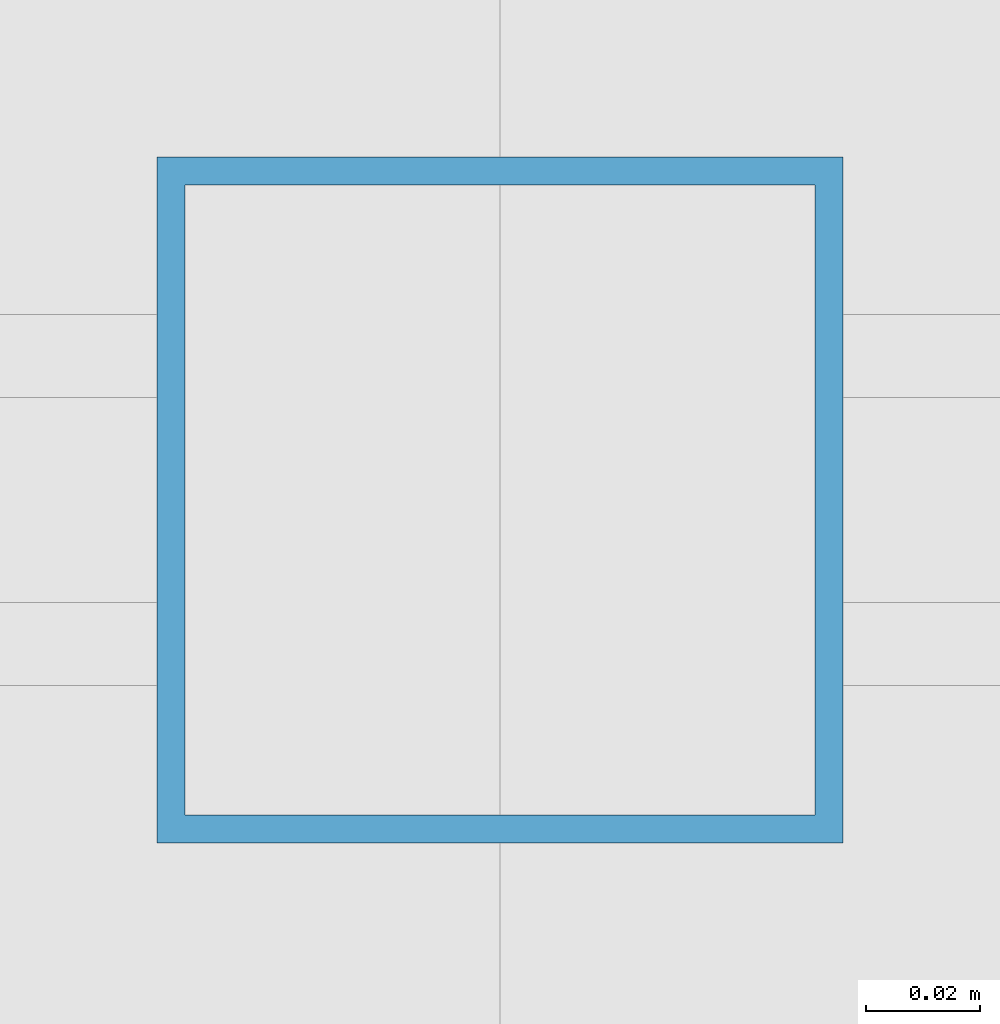
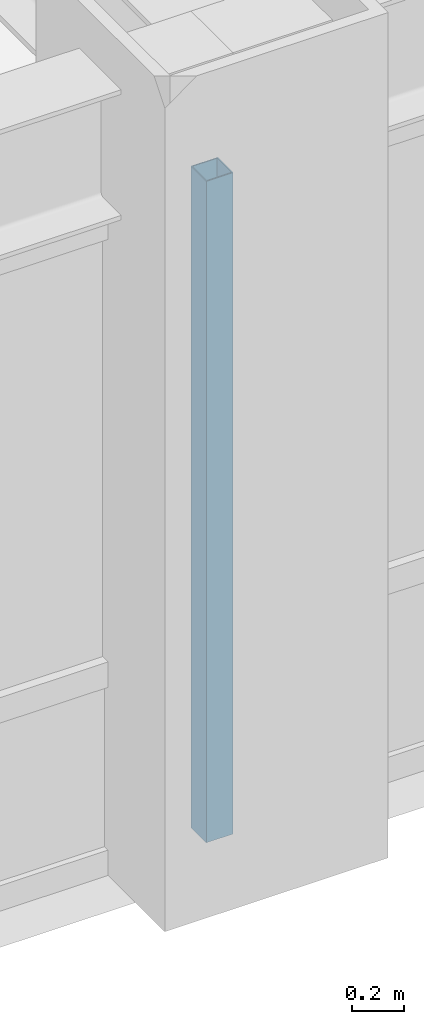
# One storey, part 4 of 25: 1 member, 1 element without a shape of its own.
"""IFC4 building model written with IfcOpenShell, lengths in metres."""

import ifcopenshell
import ifcopenshell.guid

model = None  # the IFC model being written
_history = None  # IfcOwnerHistory: only IFC2X3 demands one
_inside = {}  # id of a spatial element -> (the spatial element, [elements in it])
_under = {}  # id of a project, library or spatial element -> (it, [spatial elements below it])
_declared = {}  # id of a project -> (the project, [libraries it declares])
_typed = {}  # id of a type object -> (the type object, [elements of that type])
_made_of = {}  # id of a material, layer set ... -> (it, [elements and type objects made of it])


def new_model(schema):
    """Start an empty IFC model of exactly this schema.

    Asked for "IFC4X3", IfcOpenShell would pick the latest addendum, in which some entities
    have other attributes; the version numbers below select the first issue.
    IFC2X3 requires an IfcOwnerHistory on every rooted entity: one is made here for all.
    """
    global model, _history
    if schema == "IFC4X3":
        model = ifcopenshell.file(schema_version=(4, 3, 0, 0))
    else:
        model = ifcopenshell.file(schema=schema)
    _inside.clear()
    _under.clear()
    _declared.clear()
    _typed.clear()
    _made_of.clear()
    _history = None
    if model.schema == "IFC2X3":
        org = make("IfcOrganization", Name="unknown")
        user = make(
            "IfcPersonAndOrganization",
            ThePerson=make("IfcPerson", FamilyName="unknown"),
            TheOrganization=org,
        )
        app = make(
            "IfcApplication",
            ApplicationDeveloper=org,
            Version="unknown",
            ApplicationFullName="unknown",
            ApplicationIdentifier="unknown",
        )
        _history = make(
            "IfcOwnerHistory",
            OwningUser=user,
            OwningApplication=app,
            ChangeAction="ADDED",
            CreationDate=0,
        )
    return model


def make(cls, **values):
    """One entity of the class cls with the attributes given. An attribute that is None is left unset."""
    return model.create_entity(
        cls, **{name: value for name, value in values.items() if value is not None}
    )


def rooted(cls, **values):
    """An entity with a GlobalId (a new one), such as an element, a storey or a relation."""
    return make(cls, GlobalId=ifcopenshell.guid.new(), OwnerHistory=_history, **values)


def si_unit(unit_type, name, prefix=None):
    """IfcSIUnit, for example si_unit("LENGTHUNIT", "METRE", prefix="MILLI")."""
    return make("IfcSIUnit", UnitType=unit_type, Prefix=prefix, Name=name)


def assignment(units):
    """IfcUnitAssignment: the units of a project."""
    return None if units is None else make("IfcUnitAssignment", Units=units)


def point(xyz):
    """IfcCartesianPoint."""
    return None if xyz is None else make("IfcCartesianPoint", Coordinates=xyz)


def direction(xyz):
    """IfcDirection."""
    return None if xyz is None else make("IfcDirection", DirectionRatios=xyz)


def frame(location, z_axis=None, x_axis=None):
    """IfcAxis2Placement3D, a coordinate frame: its origin and axes. An axis left out is left unset."""
    return make(
        "IfcAxis2Placement3D",
        Location=point(location),
        Axis=direction(z_axis),
        RefDirection=direction(x_axis),
    )


def frame_2d(location, x_axis=None):
    """IfcAxis2Placement2D, a coordinate frame in the plane: its origin and x axis."""
    return make(
        "IfcAxis2Placement2D", Location=point(location), RefDirection=direction(x_axis)
    )


def origin():
    """The frame at (0, 0, 0) with its axes left unset."""
    return frame((0.0, 0.0, 0.0))


def origin_2d():
    """The frame at (0, 0) in the plane with its x axis left unset."""
    return frame_2d((0.0, 0.0))


def place(relative_to, where):
    """IfcLocalPlacement: puts the frame where relative to a parent placement (None: the world)."""
    return make(
        "IfcLocalPlacement", PlacementRelTo=relative_to, RelativePlacement=where
    )


def context(
    kind, dimensions, precision=None, world=None, true_north=None, identifier=None
):
    """IfcGeometricRepresentationContext, for example the 3D "Model" context."""
    return make(
        "IfcGeometricRepresentationContext",
        ContextIdentifier=identifier,
        ContextType=kind,
        CoordinateSpaceDimension=dimensions,
        Precision=precision,
        WorldCoordinateSystem=world,
        TrueNorth=true_north,
    )


def subcontext(parent, identifier, kind, view, scale=None):
    """IfcGeometricRepresentationSubContext, for example "Body" below "Model"."""
    return make(
        "IfcGeometricRepresentationSubContext",
        ContextIdentifier=identifier,
        ContextType=kind,
        ParentContext=parent,
        TargetScale=scale,
        TargetView=view,
    )


def project(units=None, contexts=None):
    """IfcProject with its units and contexts."""
    return rooted(
        "IfcProject",
        Name="project",
        RepresentationContexts=contexts,
        UnitsInContext=assignment(units),
    )


def spatial(cls, under=None, at=None, **own):
    """A site, building, storey or space (cls), placed at a placement, below another one or the project."""
    s = rooted(cls, ObjectPlacement=at, **own)
    if under is not None:
        _under.setdefault(under.id(), (under, []))[1].append(s)
    return s


def profile(cls, at=None, kind="AREA", **sizes):
    """A parametric profile (cls). Its sizes go by their IFC names, for example OverallWidth=200.0."""
    return make(cls, ProfileType=kind, Position=at, **sizes)


def hollow_rectangle(**sizes):
    """IfcRectangleHollowProfileDef."""
    return profile("IfcRectangleHollowProfileDef", **sizes)


def extrude(swept, where, along, depth):
    """IfcExtrudedAreaSolid: the profile swept, set in the frame where, extruded along a direction by depth."""
    return make(
        "IfcExtrudedAreaSolid",
        SweptArea=swept,
        Position=where,
        ExtrudedDirection=direction(along),
        Depth=depth,
    )


def shape(context_of_items, identifier, shape_type, items):
    """IfcShapeRepresentation: the items that make up one representation, for example the "Body"."""
    return make(
        "IfcShapeRepresentation",
        ContextOfItems=context_of_items,
        RepresentationIdentifier=identifier,
        RepresentationType=shape_type,
        Items=items,
    )


def source(mapping_origin, context_of_items, identifier, shape_type, items):
    """IfcRepresentationMap: a shape defined once, which mapped items show again and again."""
    return make(
        "IfcRepresentationMap",
        MappingOrigin=mapping_origin,
        MappedRepresentation=shape(context_of_items, identifier, shape_type, items),
    )


def transform(
    local_origin,
    x_axis=None,
    y_axis=None,
    z_axis=None,
    scale=None,
    scale2=None,
    scale3=None,
    uniform=True,
):
    """IfcCartesianTransformationOperator3D, or its non-uniform kind. x_axis, y_axis, z_axis: its Axis1, 2, 3."""
    if uniform:
        return make(
            "IfcCartesianTransformationOperator3D",
            Axis1=direction(x_axis),
            Axis2=direction(y_axis),
            LocalOrigin=point(local_origin),
            Scale=scale,
            Axis3=direction(z_axis),
        )
    return make(
        "IfcCartesianTransformationOperator3DnonUniform",
        Axis1=direction(x_axis),
        Axis2=direction(y_axis),
        LocalOrigin=point(local_origin),
        Scale=scale,
        Axis3=direction(z_axis),
        Scale2=scale2,
        Scale3=scale3,
    )


def mapped(mapping_source, mapping_target):
    """IfcMappedItem: shows the shape of a source again, moved by a transform."""
    return make(
        "IfcMappedItem", MappingSource=mapping_source, MappingTarget=mapping_target
    )


def material(Name=None, Category=None):
    """IfcMaterial."""
    return make("IfcMaterial", Name=Name, Category=Category)


def material_profile(
    of_material, cross_section, Name=None, Category=None, Priority=None
):
    """IfcMaterialProfile: a cross section and its material."""
    return make(
        "IfcMaterialProfile",
        Name=Name,
        Material=of_material,
        Profile=cross_section,
        Priority=Priority,
        Category=Category,
    )


def profile_set(profiles, Name=None, composite=None):
    """IfcMaterialProfileSet."""
    return make(
        "IfcMaterialProfileSet",
        Name=Name,
        MaterialProfiles=profiles,
        CompositeProfile=composite,
    )


def made_of(thing, what):
    """Note that an element or type object is made of a material, layer set ...; save() writes the relation."""
    if what is not None:
        _made_of.setdefault(what.id(), (what, []))[1].append(thing)
    return thing


def type_object(cls, material=None, **own):
    """A type object (cls), such as IfcWallType, which elements share."""
    return made_of(rooted(cls, **own), material)


def element(
    cls,
    number,
    at=None,
    inside=None,
    cuts=None,
    type_object=None,
    material=None,
    context=None,
    identifier="Body",
    shape_type=None,
    held_by="IfcProductDefinitionShape",
    body=None,
    shapes=None,
    **own,
):
    """One element of the class cls, such as IfcWall. Its Tag is "e" and its number.

    at: its placement. inside: the storey or other place that contains it. cuts: it is an
    opening in that element (IfcRelVoidsElement). A single representation is given by context,
    identifier, shape_type and body (its items); several are given by shapes. held_by: the class
    of the entity that holds the representations. save() writes the other relations.
    """
    e = rooted(cls, Tag="e%d" % number, ObjectPlacement=at, **own)
    if body is not None:
        shapes = [shape(context, identifier, shape_type, body)]
    if shapes is not None:
        e.Representation = make(held_by, Representations=shapes)
    if inside is not None:
        _inside.setdefault(inside.id(), (inside, []))[1].append(e)
    if cuts is not None:
        rooted(
            "IfcRelVoidsElement", RelatingBuildingElement=cuts, RelatedOpeningElement=e
        )
    if type_object is not None:
        _typed.setdefault(type_object.id(), (type_object, []))[1].append(e)
    return made_of(e, material)


def aggregate(whole, parts):
    """IfcRelAggregates: a whole, such as a stair, and the parts it consists of."""
    return rooted("IfcRelAggregates", RelatingObject=whole, RelatedObjects=parts)


def save(model, path):
    """Write the relations noted so far, then the file.

    IfcRelAggregates (storeys below a building ...), IfcRelContainedInSpatialStructure (elements
    in a storey), IfcRelDefinesByType, IfcRelAssociatesMaterial and IfcRelDeclares: one each for
    every whole, place, type object, material and project.
    """
    for whole, parts in _under.values():
        aggregate(whole, parts)
    for where, things in _inside.values():
        rooted(
            "IfcRelContainedInSpatialStructure",
            RelatedElements=things,
            RelatingStructure=where,
        )
    for kind, things in _typed.values():
        rooted("IfcRelDefinesByType", RelatedObjects=things, RelatingType=kind)
    for what, things in _made_of.values():
        rooted("IfcRelAssociatesMaterial", RelatedObjects=things, RelatingMaterial=what)
    for by, libraries in _declared.values():
        rooted("IfcRelDeclares", RelatingContext=by, RelatedDefinitions=libraries)
    model.write(path)


model = new_model("IFC4")

# Units and contexts
model_context = context("Model", 3, precision=1e-05, world=origin(), true_north=direction((0.0, 1.0)))
body_context = subcontext(model_context, "Body", "Model", "MODEL_VIEW")
ifc_project = project(units=[si_unit("LENGTHUNIT", "METRE"), si_unit("AREAUNIT", "SQUARE_METRE"), si_unit("VOLUMEUNIT", "CUBIC_METRE"), si_unit("PLANEANGLEUNIT", "RADIAN"), si_unit("MASSUNIT", "GRAM", prefix="KILO")], contexts=[model_context])

# Site, building, storey
site_placement = place(None, origin())
site = spatial("IfcSite", under=ifc_project, at=site_placement, CompositionType="ELEMENT")
building_placement = place(site_placement, origin())
building = spatial("IfcBuilding", under=site, at=building_placement, Name="Khorayat Bourse Tower", CompositionType="ELEMENT")
storey_placement = place(building_placement, frame((0.0, 0.0, 247.10009765625)))
storey = spatial("IfcBuildingStorey", under=building, at=storey_placement, Name="L58", CompositionType="ELEMENT", Elevation=247.10009765625)

# Curtain wall, member
ifc_material = material(Name="Aluminium EN AW-6063 T6", Category="aluminium")
curtain_wall_type = type_object("IfcCurtainWallType", Name="CW-SYS-03", PredefinedType="NOTDEFINED", material=ifc_material)
curtain_wall_placement = place(storey_placement, origin())
curtain_wall = element("IfcCurtainWall", 1, at=curtain_wall_placement, inside=storey, type_object=curtain_wall_type, Name="L58 Curtain Wall CW-L58-S1", PredefinedType="NOTDEFINED")
ifc_material_profile = material_profile(ifc_material, hollow_rectangle(XDim=0.1201171875, YDim=0.1201171875, WallThickness=0.0048828125, at=origin_2d()), Name="ALU 120x120x5")
ifc_profile_set = profile_set([ifc_material_profile], Name="Aluminium EN AW-6063 T6")
member_type = type_object("IfcMemberType", Name="CWM-VERT-120", PredefinedType="MULLION", material=ifc_profile_set)
shared_shape = source(origin(), body_context, "Body", "SweptSolid", [
    extrude(hollow_rectangle(XDim=0.1201171875, YDim=0.1201171875, WallThickness=0.0048828125, at=origin_2d()), origin(), (0.0, 0.0, 1.0), 3.1298828125),
])
member_placement = place(storey_placement, frame((0.0, -30.0, 0.0), z_axis=(0.0, 0.0, 1.0), x_axis=(0.0, 1.0, 0.0)))
member = element("IfcMember", 2, at=member_placement, type_object=member_type, Name="CW-L58-S1 Vertical Mullion 2", PredefinedType="MULLION", context=body_context, shape_type="MappedRepresentation", body=[
    mapped(shared_shape, transform((0.0, 0.0, 0.0), scale=1.0)),
])
aggregate(curtain_wall, [member])

save(model, "model.ifc")
